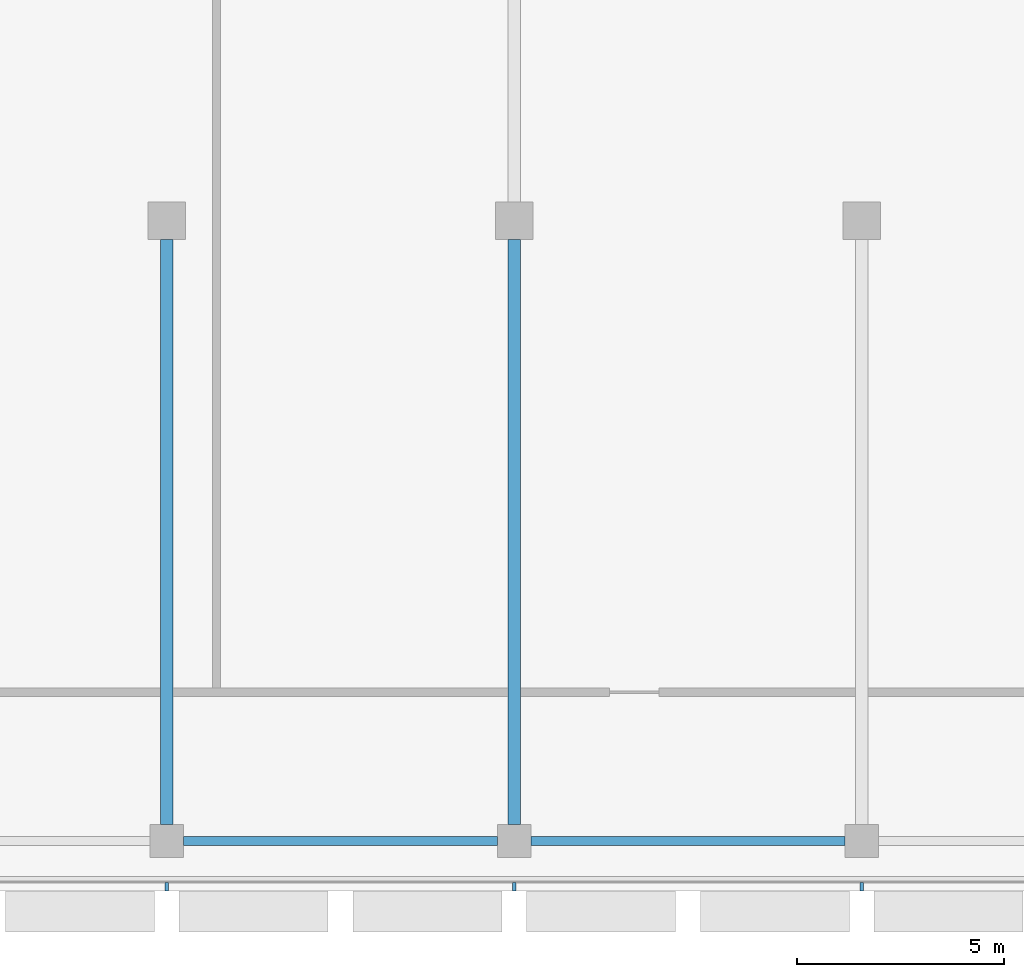
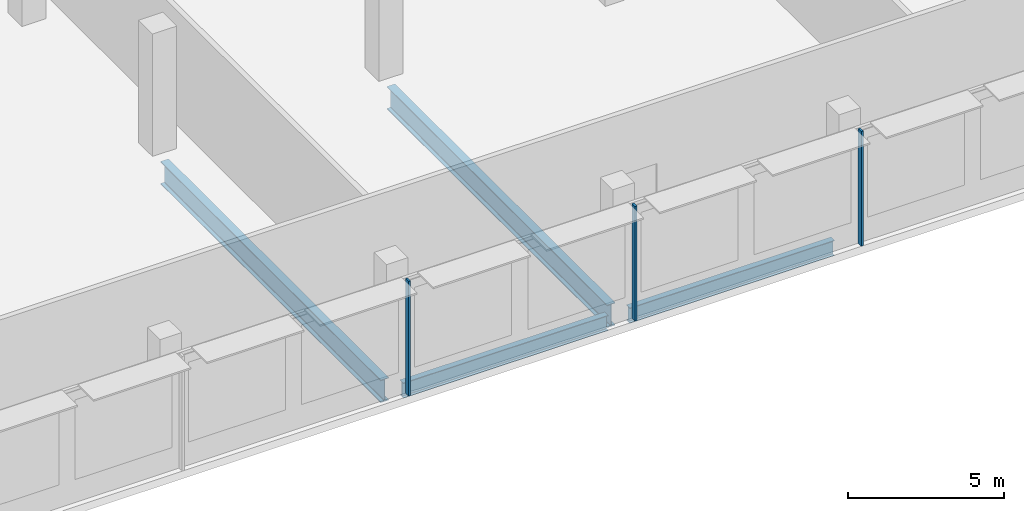
# One storey, part 4 of 39: 4 beams, 3 members, 1 element without a shape of its own.
"""IFC4 building model written with IfcOpenShell, lengths in metres."""

from ifc_helpers import new_model, si_unit, direction, frame, origin, origin_2d, place, context, subcontext, project, spatial, rectangle, i_section, extrude, material, material_profile, profile_set, type_object, element, aggregate, save


model = new_model("IFC4")

# Units and contexts
model_context = context("Model", 3, precision=1e-05, world=origin(), true_north=direction((0.0, 1.0)))
body_context = subcontext(model_context, "Body", "Model", "MODEL_VIEW")
ifc_project = project(units=[si_unit("LENGTHUNIT", "METRE"), si_unit("AREAUNIT", "SQUARE_METRE"), si_unit("VOLUMEUNIT", "CUBIC_METRE"), si_unit("PLANEANGLEUNIT", "RADIAN"), si_unit("MASSUNIT", "GRAM", prefix="KILO")], contexts=[model_context])

# Site, building, storey
site_placement = place(None, origin())
site = spatial("IfcSite", under=ifc_project, at=site_placement, CompositionType="ELEMENT")
building_placement = place(site_placement, origin())
building = spatial("IfcBuilding", under=site, at=building_placement, Name="Saffron Gate Tower", CompositionType="ELEMENT")
storey_placement = place(building_placement, frame((0.0, 0.0, 14.39990234375)))
storey = spatial("IfcBuildingStorey", under=building, at=storey_placement, Name="L02", CompositionType="ELEMENT", Elevation=14.39990234375)

# Beams
ifc_material_1 = material(Name="Structural steel S355", Category="steel")
ifc_material_profile_1 = material_profile(ifc_material_1, i_section(OverallWidth=0.219970703125, OverallDepth=0.60009765625, WebThickness=0.011962890625, FlangeThickness=0.01904296875, FilletRadius=0.02392578125, at=origin_2d()))
ifc_profile_set_1 = profile_set([ifc_material_profile_1], Name="Structural steel S355")
beam_type_1 = type_object("IfcBeamType", Name="B15 IPE 600", PredefinedType="BEAM", material=ifc_profile_set_1)
for number, where, z_axis, x_axis, name in (
    (1, (67.0, 16.800048828125, -0.599853515625), (1.0, 0.0, 0.0), (0.0, 1.0, 0.0), "B15 PODIUM EDGE BEAM"),
    (2, (75.39990234375, 16.800048828125, -0.599853515625), (1.0, 0.0, 0.0), (0.0, 1.0, 0.0), "B15 PODIUM EDGE BEAM"),
):
    element("IfcBeam", number, at=place(storey_placement, frame(where, z_axis=z_axis, x_axis=x_axis)), inside=storey, type_object=beam_type_1, Name=name, PredefinedType="BEAM", context=body_context, shape_type="SweptSolid", body=[
        extrude(i_section(OverallWidth=0.219970703125, OverallDepth=0.60009765625, WebThickness=0.011962890625, FlangeThickness=0.01904296875, FilletRadius=0.02392578125, at=origin_2d()), origin(), (0.0, 0.0, 1.0), 7.60009765625),
    ])
ifc_material_profile_2 = material_profile(ifc_material_1, i_section(OverallWidth=0.300048828125, OverallDepth=0.889892578125, WebThickness=0.01611328125, FlangeThickness=0.030029296875, FilletRadius=0.030029296875, at=origin_2d()))
ifc_profile_set_2 = profile_set([ifc_material_profile_2], Name="Structural steel S355")
beam_type_2 = type_object("IfcBeamType", Name="B19 HEA 900", PredefinedType="BEAM", material=ifc_profile_set_2)
for number, where, z_axis, x_axis, name in (
    (3, (66.60009765625, 17.199951171875, -0.744873046875), (0.0, 1.0, 0.0), (-1.0, 0.0, 0.0), "B19 PODIUM RING GIRDER"),
    (4, (75.0, 17.199951171875, -0.744873046875), (0.0, 1.0, 0.0), (-1.0, 0.0, 0.0), "B19 PODIUM RING GIRDER"),
):
    element("IfcBeam", number, at=place(storey_placement, frame(where, z_axis=z_axis, x_axis=x_axis)), inside=storey, type_object=beam_type_2, Name=name, PredefinedType="BEAM", context=body_context, shape_type="SweptSolid", body=[
        extrude(i_section(OverallWidth=0.300048828125, OverallDepth=0.889892578125, WebThickness=0.01611328125, FlangeThickness=0.030029296875, FilletRadius=0.030029296875, at=origin_2d()), origin(), (0.0, 0.0, 1.0), 14.150146484375),
    ])

# Curtain wall, members
ifc_material_2 = material(Name="Aluminium, bronze anodised", Category="aluminium")
curtain_wall_type = type_object("IfcCurtainWallType", Name="CWS5 curtain wall podium ring base", PredefinedType="NOTDEFINED", material=ifc_material_2)
curtain_wall_placement = place(storey_placement, origin())
curtain_wall = element("IfcCurtainWall", 5, at=curtain_wall_placement, inside=storey, type_object=curtain_wall_type, Name="CWS5 run 1", PredefinedType="NOTDEFINED")
ifc_material_profile_3 = material_profile(ifc_material_2, rectangle(XDim=0.199951171875, YDim=0.080078125, at=origin_2d()))
ifc_profile_set_3 = profile_set([ifc_material_profile_3], Name="Aluminium, bronze anodised")
member_type = type_object("IfcMemberType", Name="CWS5 mullion 80x200", PredefinedType="MULLION", material=ifc_profile_set_3)
member_1_placement = place(storey_placement, frame((66.60009765625, 15.699951171875, 0.0), z_axis=(0.0, 0.0, 1.0), x_axis=(0.0, 1.0, 0.0)))
member_1 = element("IfcMember", 6, at=member_1_placement, type_object=member_type, Name="CWS5 mullion 6", PredefinedType="MULLION", context=body_context, shape_type="SweptSolid", body=[
    extrude(rectangle(XDim=0.199951171875, YDim=0.080078125, at=origin_2d()), origin(), (0.0, 0.0, 1.0), 4.5),
])
member_2_placement = place(storey_placement, frame((75.0, 15.699951171875, 0.0), z_axis=(0.0, 0.0, 1.0), x_axis=(0.0, 1.0, 0.0)))
member_2 = element("IfcMember", 7, at=member_2_placement, type_object=member_type, Name="CWS5 mullion 7", PredefinedType="MULLION", context=body_context, shape_type="SweptSolid", body=[
    extrude(rectangle(XDim=0.199951171875, YDim=0.080078125, at=origin_2d()), origin(), (0.0, 0.0, 1.0), 4.5),
])
member_3_placement = place(storey_placement, frame((83.39990234375, 15.699951171875, 0.0), z_axis=(0.0, 0.0, 1.0), x_axis=(0.0, 1.0, 0.0)))
member_3 = element("IfcMember", 8, at=member_3_placement, type_object=member_type, Name="CWS5 mullion 8", PredefinedType="MULLION", context=body_context, shape_type="SweptSolid", body=[
    extrude(rectangle(XDim=0.199951171875, YDim=0.080078125, at=origin_2d()), origin(), (0.0, 0.0, 1.0), 4.5),
])
aggregate(curtain_wall, [member_1, member_2, member_3])

save(model, "model.ifc")
